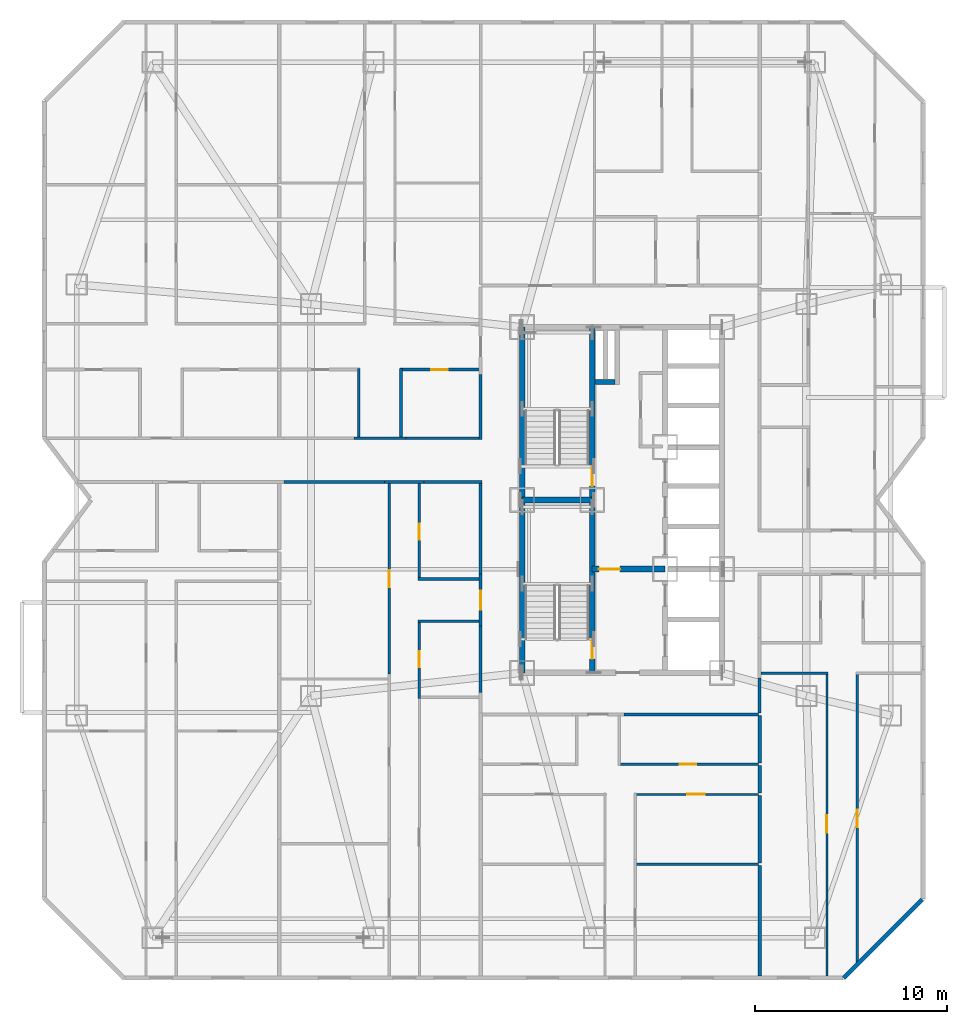
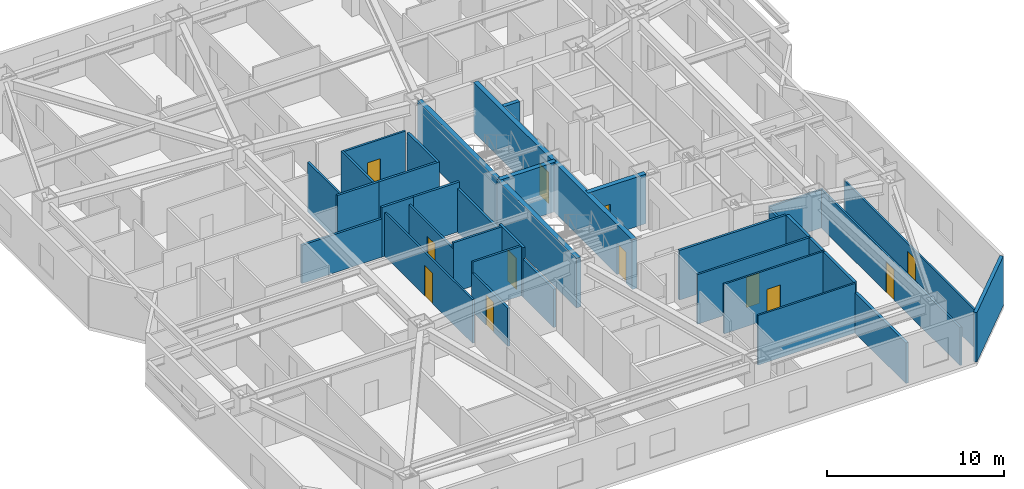
# One storey, part 8 of 13: 37 walls, 12 doors, 12 openings.
"""IFC4 building model written with IfcOpenShell, lengths in metres."""

import ifcopenshell
import ifcopenshell.guid

model = None  # the IFC model being written
_history = None  # IfcOwnerHistory: only IFC2X3 demands one
_inside = {}  # id of a spatial element -> (the spatial element, [elements in it])
_under = {}  # id of a project, library or spatial element -> (it, [spatial elements below it])
_declared = {}  # id of a project -> (the project, [libraries it declares])
_typed = {}  # id of a type object -> (the type object, [elements of that type])
_made_of = {}  # id of a material, layer set ... -> (it, [elements and type objects made of it])


def new_model(schema):
    """Start an empty IFC model of exactly this schema.

    Asked for "IFC4X3", IfcOpenShell would pick the latest addendum, in which some entities
    have other attributes; the version numbers below select the first issue.
    IFC2X3 requires an IfcOwnerHistory on every rooted entity: one is made here for all.
    """
    global model, _history
    if schema == "IFC4X3":
        model = ifcopenshell.file(schema_version=(4, 3, 0, 0))
    else:
        model = ifcopenshell.file(schema=schema)
    _inside.clear()
    _under.clear()
    _declared.clear()
    _typed.clear()
    _made_of.clear()
    _history = None
    if model.schema == "IFC2X3":
        org = make("IfcOrganization", Name="unknown")
        user = make(
            "IfcPersonAndOrganization",
            ThePerson=make("IfcPerson", FamilyName="unknown"),
            TheOrganization=org,
        )
        app = make(
            "IfcApplication",
            ApplicationDeveloper=org,
            Version="unknown",
            ApplicationFullName="unknown",
            ApplicationIdentifier="unknown",
        )
        _history = make(
            "IfcOwnerHistory",
            OwningUser=user,
            OwningApplication=app,
            ChangeAction="ADDED",
            CreationDate=0,
        )
    return model


def make(cls, **values):
    """One entity of the class cls with the attributes given. An attribute that is None is left unset."""
    return model.create_entity(
        cls, **{name: value for name, value in values.items() if value is not None}
    )


def rooted(cls, **values):
    """An entity with a GlobalId (a new one), such as an element, a storey or a relation."""
    return make(cls, GlobalId=ifcopenshell.guid.new(), OwnerHistory=_history, **values)


def si_unit(unit_type, name, prefix=None):
    """IfcSIUnit, for example si_unit("LENGTHUNIT", "METRE", prefix="MILLI")."""
    return make("IfcSIUnit", UnitType=unit_type, Prefix=prefix, Name=name)


def assignment(units):
    """IfcUnitAssignment: the units of a project."""
    return None if units is None else make("IfcUnitAssignment", Units=units)


def point(xyz):
    """IfcCartesianPoint."""
    return None if xyz is None else make("IfcCartesianPoint", Coordinates=xyz)


def direction(xyz):
    """IfcDirection."""
    return None if xyz is None else make("IfcDirection", DirectionRatios=xyz)


def frame(location, z_axis=None, x_axis=None):
    """IfcAxis2Placement3D, a coordinate frame: its origin and axes. An axis left out is left unset."""
    return make(
        "IfcAxis2Placement3D",
        Location=point(location),
        Axis=direction(z_axis),
        RefDirection=direction(x_axis),
    )


def frame_2d(location, x_axis=None):
    """IfcAxis2Placement2D, a coordinate frame in the plane: its origin and x axis."""
    return make(
        "IfcAxis2Placement2D", Location=point(location), RefDirection=direction(x_axis)
    )


def origin():
    """The frame at (0, 0, 0) with its axes left unset."""
    return frame((0.0, 0.0, 0.0))


def place(relative_to, where):
    """IfcLocalPlacement: puts the frame where relative to a parent placement (None: the world)."""
    return make(
        "IfcLocalPlacement", PlacementRelTo=relative_to, RelativePlacement=where
    )


def context(
    kind, dimensions, precision=None, world=None, true_north=None, identifier=None
):
    """IfcGeometricRepresentationContext, for example the 3D "Model" context."""
    return make(
        "IfcGeometricRepresentationContext",
        ContextIdentifier=identifier,
        ContextType=kind,
        CoordinateSpaceDimension=dimensions,
        Precision=precision,
        WorldCoordinateSystem=world,
        TrueNorth=true_north,
    )


def subcontext(parent, identifier, kind, view, scale=None):
    """IfcGeometricRepresentationSubContext, for example "Body" below "Model"."""
    return make(
        "IfcGeometricRepresentationSubContext",
        ContextIdentifier=identifier,
        ContextType=kind,
        ParentContext=parent,
        TargetScale=scale,
        TargetView=view,
    )


def project(units=None, contexts=None):
    """IfcProject with its units and contexts."""
    return rooted(
        "IfcProject",
        Name="project",
        RepresentationContexts=contexts,
        UnitsInContext=assignment(units),
    )


def spatial(cls, under=None, at=None, **own):
    """A site, building, storey or space (cls), placed at a placement, below another one or the project."""
    s = rooted(cls, ObjectPlacement=at, **own)
    if under is not None:
        _under.setdefault(under.id(), (under, []))[1].append(s)
    return s


def profile(cls, at=None, kind="AREA", **sizes):
    """A parametric profile (cls). Its sizes go by their IFC names, for example OverallWidth=200.0."""
    return make(cls, ProfileType=kind, Position=at, **sizes)


def rectangle(**sizes):
    """IfcRectangleProfileDef."""
    return profile("IfcRectangleProfileDef", **sizes)


def extrude(swept, where, along, depth):
    """IfcExtrudedAreaSolid: the profile swept, set in the frame where, extruded along a direction by depth."""
    return make(
        "IfcExtrudedAreaSolid",
        SweptArea=swept,
        Position=where,
        ExtrudedDirection=direction(along),
        Depth=depth,
    )


def shape(context_of_items, identifier, shape_type, items):
    """IfcShapeRepresentation: the items that make up one representation, for example the "Body"."""
    return make(
        "IfcShapeRepresentation",
        ContextOfItems=context_of_items,
        RepresentationIdentifier=identifier,
        RepresentationType=shape_type,
        Items=items,
    )


def material(Name=None, Category=None):
    """IfcMaterial."""
    return make("IfcMaterial", Name=Name, Category=Category)


def layer(
    of_material, thickness, ventilated=None, Name=None, Category=None, Priority=None
):
    """IfcMaterialLayer: one layer of a wall or slab, of a material (None: an air gap)."""
    return make(
        "IfcMaterialLayer",
        Material=of_material,
        LayerThickness=thickness,
        IsVentilated=ventilated,
        Name=Name,
        Category=Category,
        Priority=Priority,
    )


def layer_set(layers, Name=None):
    """IfcMaterialLayerSet."""
    return make("IfcMaterialLayerSet", MaterialLayers=layers, LayerSetName=Name)


def made_of(thing, what):
    """Note that an element or type object is made of a material, layer set ...; save() writes the relation."""
    if what is not None:
        _made_of.setdefault(what.id(), (what, []))[1].append(thing)
    return thing


def type_object(cls, material=None, **own):
    """A type object (cls), such as IfcWallType, which elements share."""
    return made_of(rooted(cls, **own), material)


def element(
    cls,
    number,
    at=None,
    inside=None,
    cuts=None,
    type_object=None,
    material=None,
    context=None,
    identifier="Body",
    shape_type=None,
    held_by="IfcProductDefinitionShape",
    body=None,
    shapes=None,
    **own,
):
    """One element of the class cls, such as IfcWall. Its Tag is "e" and its number.

    at: its placement. inside: the storey or other place that contains it. cuts: it is an
    opening in that element (IfcRelVoidsElement). A single representation is given by context,
    identifier, shape_type and body (its items); several are given by shapes. held_by: the class
    of the entity that holds the representations. save() writes the other relations.
    """
    e = rooted(cls, Tag="e%d" % number, ObjectPlacement=at, **own)
    if body is not None:
        shapes = [shape(context, identifier, shape_type, body)]
    if shapes is not None:
        e.Representation = make(held_by, Representations=shapes)
    if inside is not None:
        _inside.setdefault(inside.id(), (inside, []))[1].append(e)
    if cuts is not None:
        rooted(
            "IfcRelVoidsElement", RelatingBuildingElement=cuts, RelatedOpeningElement=e
        )
    if type_object is not None:
        _typed.setdefault(type_object.id(), (type_object, []))[1].append(e)
    return made_of(e, material)


def fill(opening, filler):
    """IfcRelFillsElement: the door or window that sits in an opening."""
    return rooted(
        "IfcRelFillsElement",
        RelatingOpeningElement=opening,
        RelatedBuildingElement=filler,
    )


def aggregate(whole, parts):
    """IfcRelAggregates: a whole, such as a stair, and the parts it consists of."""
    return rooted("IfcRelAggregates", RelatingObject=whole, RelatedObjects=parts)


def save(model, path):
    """Write the relations noted so far, then the file.

    IfcRelAggregates (storeys below a building ...), IfcRelContainedInSpatialStructure (elements
    in a storey), IfcRelDefinesByType, IfcRelAssociatesMaterial and IfcRelDeclares: one each for
    every whole, place, type object, material and project.
    """
    for whole, parts in _under.values():
        aggregate(whole, parts)
    for where, things in _inside.values():
        rooted(
            "IfcRelContainedInSpatialStructure",
            RelatedElements=things,
            RelatingStructure=where,
        )
    for kind, things in _typed.values():
        rooted("IfcRelDefinesByType", RelatedObjects=things, RelatingType=kind)
    for what, things in _made_of.values():
        rooted("IfcRelAssociatesMaterial", RelatedObjects=things, RelatingMaterial=what)
    for by, libraries in _declared.values():
        rooted("IfcRelDeclares", RelatingContext=by, RelatedDefinitions=libraries)
    model.write(path)


model = new_model("IFC4")

# Units and contexts
model_context = context("Model", 3, precision=1e-05, world=origin(), true_north=direction((0.0, 1.0)))
body_context = subcontext(model_context, "Body", "Model", "MODEL_VIEW")
ifc_project = project(units=[si_unit("LENGTHUNIT", "METRE"), si_unit("AREAUNIT", "SQUARE_METRE"), si_unit("VOLUMEUNIT", "CUBIC_METRE"), si_unit("PLANEANGLEUNIT", "RADIAN"), si_unit("MASSUNIT", "GRAM", prefix="KILO")], contexts=[model_context])

# Site, building, storey
site_placement = place(None, origin())
site = spatial("IfcSite", under=ifc_project, at=site_placement, CompositionType="ELEMENT")
building_placement = place(site_placement, origin())
building = spatial("IfcBuilding", under=site, at=building_placement, Name="Khamvora Tower", CompositionType="ELEMENT")
storey_placement = place(building_placement, frame((0.0, 0.0, 62.5)))
storey = spatial("IfcBuildingStorey", under=building, at=storey_placement, Name="L15", CompositionType="ELEMENT", Elevation=62.5)

# Walls
ifc_material_1 = material(Name="Concrete C50/60", Category="concrete")
ifc_layer_1 = layer(ifc_material_1, 0.300048828125)
ifc_layer_set_1 = layer_set([ifc_layer_1], Name="Concrete C50/60")
wall_type_1 = type_object("IfcWallType", Name="WAL-CORE-300", PredefinedType="SHEAR", material=ifc_layer_set_1)
for number, where, z_axis, x_axis, name in (
    (1, (29.0, 19.0, 0.0), (0.0, 0.0, 1.0), (0.0, 1.0, 0.0), "L15 central core west south wall"),
    (2, (29.0, 28.0, 0.0), (0.0, 0.0, 1.0), (0.0, 1.0, 0.0), "L15 central core west north wall"),
):
    element("IfcWall", number, at=place(storey_placement, frame(where, z_axis=z_axis, x_axis=x_axis)), inside=storey, type_object=wall_type_1, Name=name, PredefinedType="SHEAR", context=body_context, shape_type="SweptSolid", body=[
        extrude(rectangle(XDim=9.0, YDim=0.300048828125, at=frame_2d((4.5, 0.0))), origin(), (0.0, 0.0, 1.0), 3.429931640625),
    ])

# Wall, opening, door
wall_1_placement = place(storey_placement, frame((32.64990234375, 19.0, 0.0), z_axis=(0.0, 0.0, 1.0), x_axis=(0.0, 1.0, 0.0)))
wall_1 = element("IfcWall", 3, at=wall_1_placement, inside=storey, type_object=wall_type_1, Name="L15 central core stair south spine wall", PredefinedType="SHEAR", context=body_context, shape_type="SweptSolid", body=[
    extrude(rectangle(XDim=9.0, YDim=0.300048828125, at=frame_2d((4.5, 0.0))), origin(), (0.0, 0.0, 1.0), 3.429931640625),
])
opening_1_placement = place(wall_1_placement, frame((0.719970703125, 0.0, 0.0)))
opening_1 = element("IfcOpeningElement", 4, at=opening_1_placement, cuts=wall_1, Name="Opening D-ST1", PredefinedType="OPENING", context=body_context, shape_type="SweptSolid", body=[
    extrude(rectangle(XDim=1.0, YDim=2.14990234375, at=frame_2d((0.5, 1.074951171875))), frame((0.0, 0.159912109375, 0.0), z_axis=(0.0, -1.0, 0.0), x_axis=(1.0, 0.0, 0.0)), (0.0, 0.0, 1.0), 0.320068359375),
])
ifc_material_2 = material(Name="Powder-Coated Steel and Hardwood Leaf", Category="steel")
door_type_1 = type_object("IfcDoorType", Name="DOR-STAIR-1000", OperationType="NOTDEFINED", PredefinedType="DOOR", material=ifc_material_2)
door_1_placement = place(opening_1_placement, origin())
door_1 = element("IfcDoor", 5, at=door_1_placement, inside=storey, type_object=door_type_1, Name="L15 exit stair ST-01 fire door", OperationType="SINGLE_SWING_RIGHT", OverallHeight=2.14990234375, OverallWidth=1.0, PredefinedType="DOOR", context=body_context, shape_type="SweptSolid", body=[
    extrude(rectangle(XDim=1.0, YDim=2.14990234375, at=frame_2d((0.5, 1.074951171875))), frame((0.0, 0.02490234375, 0.0), z_axis=(0.0, -1.0, 0.0), x_axis=(1.0, 0.0, 0.0)), (0.0, 0.0, 1.0), 0.050048828125),
])
fill(opening_1, door_1)

wall_2_placement = place(storey_placement, frame((32.64990234375, 28.0, 0.0), z_axis=(0.0, 0.0, 1.0), x_axis=(0.0, 1.0, 0.0)))
wall_2 = element("IfcWall", 6, at=wall_2_placement, inside=storey, type_object=wall_type_1, Name="L15 central core stair north spine wall", PredefinedType="SHEAR", context=body_context, shape_type="SweptSolid", body=[
    extrude(rectangle(XDim=9.0, YDim=0.300048828125, at=frame_2d((4.5, 0.0))), origin(), (0.0, 0.0, 1.0), 3.429931640625),
])
opening_2_placement = place(wall_2_placement, frame((0.719970703125, 0.0, 0.0)))
opening_2 = element("IfcOpeningElement", 7, at=opening_2_placement, cuts=wall_2, Name="Opening D-ST1", PredefinedType="OPENING", context=body_context, shape_type="SweptSolid", body=[
    extrude(rectangle(XDim=1.0, YDim=2.14990234375, at=frame_2d((0.5, 1.074951171875))), frame((0.0, 0.159912109375, 0.0), z_axis=(0.0, -1.0, 0.0), x_axis=(1.0, 0.0, 0.0)), (0.0, 0.0, 1.0), 0.320068359375),
])
door_2_placement = place(opening_2_placement, origin())
door_2 = element("IfcDoor", 8, at=door_2_placement, inside=storey, type_object=door_type_1, Name="L15 exit stair ST-02 fire door", OperationType="SINGLE_SWING_RIGHT", OverallHeight=2.14990234375, OverallWidth=1.0, PredefinedType="DOOR", context=body_context, shape_type="SweptSolid", body=[
    extrude(rectangle(XDim=1.0, YDim=2.14990234375, at=frame_2d((0.5, 1.074951171875))), frame((0.0, 0.02490234375, 0.0), z_axis=(0.0, -1.0, 0.0), x_axis=(1.0, 0.0, 0.0)), (0.0, 0.0, 1.0), 0.050048828125),
])
fill(opening_2, door_2)

# Wall
wall_3_placement = place(storey_placement, frame((29.0, 28.0, 0.0), z_axis=(0.0, 0.0, 1.0), x_axis=(1.0, 0.0, 0.0)))
element("IfcWall", 9, at=wall_3_placement, inside=storey, type_object=wall_type_1, Name="L15 central core stair cross wall", PredefinedType="SHEAR", context=body_context, shape_type="SweptSolid", body=[
    extrude(rectangle(XDim=3.64990234375, YDim=0.300048828125, at=frame_2d((1.824951171875, 0.0))), origin(), (0.0, 0.0, 1.0), 3.429931640625),
])

# Wall, opening, door
wall_4_placement = place(storey_placement, frame((32.64990234375, 24.39990234375, 0.0), z_axis=(0.0, 0.0, 1.0), x_axis=(1.0, 0.0, 0.0)))
wall_4 = element("IfcWall", 10, at=wall_4_placement, inside=storey, type_object=wall_type_1, Name="L15 central core firefighting lobby north wall", PredefinedType="SHEAR", context=body_context, shape_type="SweptSolid", body=[
    extrude(rectangle(XDim=3.800048828125, YDim=0.300048828125, at=frame_2d((1.89990234375, 0.0))), origin(), (0.0, 0.0, 1.0), 3.429931640625),
])
opening_3_placement = place(wall_4_placement, frame((0.35009765625, 0.0, 0.0)))
opening_3 = element("IfcOpeningElement", 11, at=opening_3_placement, cuts=wall_4, Name="Opening D-FF1", PredefinedType="OPENING", context=body_context, shape_type="SweptSolid", body=[
    extrude(rectangle(XDim=1.10009765625, YDim=2.14990234375, at=frame_2d((0.550048828125, 1.074951171875))), frame((0.0, 0.159912109375, 0.0), z_axis=(0.0, -1.0, 0.0), x_axis=(1.0, 0.0, 0.0)), (0.0, 0.0, 1.0), 0.320068359375),
])
door_type_2 = type_object("IfcDoorType", Name="DOR-FFLOB-1100", OperationType="NOTDEFINED", PredefinedType="DOOR", material=ifc_material_2)
door_3_placement = place(opening_3_placement, origin())
door_3 = element("IfcDoor", 12, at=door_3_placement, inside=storey, type_object=door_type_2, Name="L15 firefighting lobby smoke-seal fire door", OperationType="SINGLE_SWING_RIGHT", OverallHeight=2.14990234375, OverallWidth=1.10009765625, PredefinedType="DOOR", context=body_context, shape_type="SweptSolid", body=[
    extrude(rectangle(XDim=1.10009765625, YDim=2.14990234375, at=frame_2d((0.550048828125, 1.074951171875))), frame((0.0, 0.02490234375, 0.0), z_axis=(0.0, -1.0, 0.0), x_axis=(1.0, 0.0, 0.0)), (0.0, 0.0, 1.0), 0.050048828125),
])
fill(opening_3, door_3)

ifc_material_3 = material(Name="Fire-Rated Drywall and Steel Stud", Category="steel")
ifc_layer_2 = layer(ifc_material_3, 0.14990234375)
ifc_layer_set_2 = layer_set([ifc_layer_2], Name="Fire-Rated Drywall and Steel Stud")
wall_type_2 = type_object("IfcWallType", Name="WAL-CORR-150", PredefinedType="STANDARD", material=ifc_layer_set_2)
wall_5_placement = place(storey_placement, frame((26.8349609375, 21.43505859375, 0.0), z_axis=(0.0, 0.0, 1.0), x_axis=(0.0, 1.0, 0.0)))
wall_5 = element("IfcWall", 13, at=wall_5_placement, inside=storey, type_object=wall_type_2, Name="L15 interior partition wall 009", PredefinedType="STANDARD", context=body_context, shape_type="SweptSolid", body=[
    extrude(rectangle(XDim=2.697998046875, YDim=0.14990234375, at=frame_2d((1.34912109375, 0.0))), origin(), (0.0, 0.0, 1.0), 3.429931640625),
])
opening_4_placement = place(wall_5_placement, frame((0.84912109375, 0.0, 0.0)))
opening_4 = element("IfcOpeningElement", 14, at=opening_4_placement, cuts=wall_5, Name="Opening D-U1", PredefinedType="OPENING", context=body_context, shape_type="SweptSolid", body=[
    extrude(rectangle(XDim=1.0, YDim=2.14990234375, at=frame_2d((0.5, 1.074951171875))), frame((0.0, 0.0849609375, 0.0), z_axis=(0.0, -1.0, 0.0), x_axis=(1.0, 0.0, 0.0)), (0.0, 0.0, 1.0), 0.169921875),
])
door_type_3 = type_object("IfcDoorType", Name="DOR-UNIT-1000", OperationType="NOTDEFINED", PredefinedType="DOOR", material=ifc_material_2)
door_4_placement = place(opening_4_placement, origin())
door_4 = element("IfcDoor", 15, at=door_4_placement, inside=storey, type_object=door_type_3, Name="L15 interior door COR-15WA2H", OperationType="SINGLE_SWING_RIGHT", OverallHeight=2.14990234375, OverallWidth=1.0, PredefinedType="DOOR", context=body_context, shape_type="SweptSolid", body=[
    extrude(rectangle(XDim=1.0, YDim=2.14990234375, at=frame_2d((0.5, 1.074951171875))), frame((0.0, 0.02490234375, 0.0), z_axis=(0.0, -1.0, 0.0), x_axis=(1.0, 0.0, 0.0)), (0.0, 0.0, 1.0), 0.050048828125),
])
fill(opening_4, door_4)

# Walls
wall_6_placement = place(storey_placement, frame((23.89990234375, 28.93505859375, 0.0), z_axis=(0.0, 0.0, 1.0), x_axis=(-1.0, 0.0, 0.0)))
element("IfcWall", 16, at=wall_6_placement, inside=storey, type_object=wall_type_2, Name="L15 interior partition wall 010", PredefinedType="STANDARD", context=body_context, shape_type="SweptSolid", body=[
    extrude(rectangle(XDim=2.078857421875, YDim=0.14990234375, at=frame_2d((1.03955078125, 0.0))), origin(), (0.0, 0.0, 1.0), 3.429931640625),
])
wall_7_placement = place(storey_placement, frame((26.8349609375, 17.968017578125, 0.0), z_axis=(0.0, 0.0, 1.0), x_axis=(0.0, 1.0, 0.0)))
element("IfcWall", 17, at=wall_7_placement, inside=storey, type_object=wall_type_2, Name="L15 interior partition wall 011", PredefinedType="STANDARD", context=body_context, shape_type="SweptSolid", body=[
    extrude(rectangle(XDim=3.467041015625, YDim=0.14990234375, at=frame_2d((1.7333984375, 0.0))), origin(), (0.0, 0.0, 1.0), 2.64697265625),
])
wall_8_placement = place(storey_placement, frame((26.8349609375, 24.133056640625, 0.0), z_axis=(0.0, 0.0, 1.0), x_axis=(0.0, 1.0, 0.0)))
element("IfcWall", 18, at=wall_8_placement, inside=storey, type_object=wall_type_2, Name="L15 interior partition wall 012", PredefinedType="STANDARD", context=body_context, shape_type="SweptSolid", body=[
    extrude(rectangle(XDim=4.866943359375, YDim=0.14990234375, at=frame_2d((2.43359375, 0.0))), origin(), (0.0, 0.0, 1.0), 3.012939453125),
])
wall_9_placement = place(storey_placement, frame((26.89794921875, 28.93505859375, 0.0), z_axis=(0.0, 0.0, 1.0), x_axis=(-1.0, 0.0, 0.0)))
element("IfcWall", 19, at=wall_9_placement, inside=storey, type_object=wall_type_2, Name="L15 interior partition wall 013", PredefinedType="STANDARD", context=body_context, shape_type="SweptSolid", body=[
    extrude(rectangle(XDim=2.998046875, YDim=0.14990234375, at=frame_2d((1.4990234375, 0.0))), origin(), (0.0, 0.0, 1.0), 3.429931640625),
])
wall_10_placement = place(storey_placement, frame((21.821044921875, 28.93505859375, 0.0), z_axis=(0.0, 0.0, 1.0), x_axis=(-1.0, 0.0, 0.0)))
element("IfcWall", 20, at=wall_10_placement, inside=storey, type_object=wall_type_2, Name="L15 interior partition wall 014", PredefinedType="STANDARD", context=body_context, shape_type="SweptSolid", body=[
    extrude(rectangle(XDim=5.22509765625, YDim=0.14990234375, at=frame_2d((2.612548828125, 0.0))), origin(), (0.0, 0.0, 1.0), 2.64697265625),
])
wall_11_placement = place(storey_placement, frame((20.241943359375, 31.215087890625, 0.0), z_axis=(0.0, 0.0, 1.0), x_axis=(1.0, 0.0, 0.0)))
element("IfcWall", 21, at=wall_11_placement, inside=storey, type_object=wall_type_2, Name="L15 interior partition wall 018", PredefinedType="STANDARD", context=body_context, shape_type="SweptSolid", body=[
    extrude(rectangle(XDim=2.697998046875, YDim=0.14990234375, at=frame_2d((1.34912109375, 0.0))), origin(), (0.0, 0.0, 1.0), 3.429931640625),
])
wall_12_placement = place(storey_placement, frame((22.93994140625, 31.215087890625, 0.0), z_axis=(0.0, 0.0, 1.0), x_axis=(1.0, 0.0, 0.0)))
element("IfcWall", 22, at=wall_12_placement, inside=storey, type_object=wall_type_2, Name="L15 interior partition wall 021", PredefinedType="STANDARD", context=body_context, shape_type="SweptSolid", body=[
    extrude(rectangle(XDim=3.9599609375, YDim=0.14990234375, at=frame_2d((1.97998046875, 0.0))), origin(), (0.0, 0.0, 1.0), 3.429931640625),
])
wall_13_placement = place(storey_placement, frame((26.8349609375, 31.14990234375, 0.0), z_axis=(0.0, 0.0, 1.0), x_axis=(0.0, 1.0, 0.0)))
element("IfcWall", 23, at=wall_13_placement, inside=storey, type_object=wall_type_2, Name="L15 interior partition wall 022", PredefinedType="STANDARD", context=body_context, shape_type="SweptSolid", body=[
    extrude(rectangle(XDim=3.39599609375, YDim=0.14990234375, at=frame_2d((1.697998046875, 0.0))), origin(), (0.0, 0.0, 1.0), 3.429931640625),
])
wall_14_placement = place(storey_placement, frame((41.300048828125, 16.8349609375, 0.0), z_axis=(0.0, 0.0, 1.0), x_axis=(-1.0, 0.0, 0.0)))
element("IfcWall", 24, at=wall_14_placement, inside=storey, type_object=wall_type_2, Name="L15 interior partition wall 026", PredefinedType="STANDARD", context=body_context, shape_type="SweptSolid", body=[
    extrude(rectangle(XDim=7.0009765625, YDim=0.14990234375, at=frame_2d((3.50048828125, 0.0))), origin(), (0.0, 0.0, 1.0), 3.429931640625),
])
wall_15_placement = place(storey_placement, frame((41.364990234375, 18.72607421875, 0.0), z_axis=(0.0, 0.0, 1.0), x_axis=(0.0, -1.0, 0.0)))
element("IfcWall", 25, at=wall_15_placement, inside=storey, type_object=wall_type_2, Name="L15 interior partition wall 035", PredefinedType="STANDARD", context=body_context, shape_type="SweptSolid", body=[
    extrude(rectangle(XDim=1.826171875, YDim=0.14990234375, at=frame_2d((0.9130859375, 0.0))), origin(), (0.0, 0.0, 1.0), 2.64697265625),
])
ifc_material_4 = material(Name="Acoustic Double-Stud Fire Wall", Category="gypsum")
ifc_layer_3 = layer(ifc_material_4, 0.179931640625)
ifc_layer_set_3 = layer_set([ifc_layer_3], Name="Acoustic Double-Stud Fire Wall")
wall_type_3 = type_object("IfcWallType", Name="WAL-CORR-180", PredefinedType="STANDARD", material=ifc_layer_set_3)
wall_16_placement = place(storey_placement, frame((41.364990234375, 14.180908203125, 0.0), z_axis=(0.0, 0.0, 1.0), x_axis=(0.0, -1.0, 0.0)))
element("IfcWall", 26, at=wall_16_placement, inside=storey, type_object=wall_type_3, Name="L15 interior partition wall 119", PredefinedType="STANDARD", context=body_context, shape_type="SweptSolid", body=[
    extrude(rectangle(XDim=1.449951171875, YDim=0.179931640625, at=frame_2d((0.72509765625, 0.0))), origin(), (0.0, 0.0, 1.0), 3.429931640625),
])
wall_17_placement = place(storey_placement, frame((41.364990234375, 16.77001953125, 0.0), z_axis=(0.0, 0.0, 1.0), x_axis=(0.0, -1.0, 0.0)))
element("IfcWall", 27, at=wall_17_placement, inside=storey, type_object=wall_type_3, Name="L15 interior partition wall 120", PredefinedType="STANDARD", context=body_context, shape_type="SweptSolid", body=[
    extrude(rectangle(XDim=2.458984375, YDim=0.179931640625, at=frame_2d((1.2294921875, 0.0))), origin(), (0.0, 0.0, 1.0), 3.429931640625),
])
wall_18_placement = place(storey_placement, frame((41.364990234375, 8.968017578125, 0.0), z_axis=(0.0, 0.0, 1.0), x_axis=(0.0, -1.0, 0.0)))
element("IfcWall", 28, at=wall_18_placement, inside=storey, type_object=wall_type_3, Name="L15 interior partition wall 123", PredefinedType="STANDARD", context=body_context, shape_type="SweptSolid", body=[
    extrude(rectangle(XDim=5.756103515625, YDim=0.179931640625, at=frame_2d((2.8779296875, 0.0))), origin(), (0.0, 0.0, 1.0), 2.802978515625),
])
wall_19_placement = place(storey_placement, frame((41.364990234375, 12.60107421875, 0.0), z_axis=(0.0, 0.0, 1.0), x_axis=(0.0, -1.0, 0.0)))
element("IfcWall", 29, at=wall_19_placement, inside=storey, type_object=wall_type_3, Name="L15 interior partition wall 124", PredefinedType="STANDARD", context=body_context, shape_type="SweptSolid", body=[
    extrude(rectangle(XDim=3.503173828125, YDim=0.179931640625, at=frame_2d((1.75146484375, 0.0))), origin(), (0.0, 0.0, 1.0), 3.429931640625),
])
ifc_material_5 = material(Name="Precast concrete C40/50", Category="concrete")
ifc_layer_4 = layer(ifc_material_5, 0.219970703125)
ifc_layer_set_4 = layer_set([ifc_layer_4], Name="Precast concrete C40/50")
wall_type_4 = type_object("IfcWallType", Name="WAL-EXT-220", PredefinedType="STANDARD", material=ifc_layer_set_4)
wall_20_placement = place(storey_placement, frame((49.840087890625, 7.196044921875, 0.0), z_axis=(0.0, 0.0, 1.0), x_axis=(-0.707127905562, -0.70708565618, 0.0)))
element("IfcWall", 30, at=wall_20_placement, inside=storey, type_object=wall_type_4, Name="L15 exterior facade wall 13.1", PredefinedType="STANDARD", context=body_context, shape_type="SweptSolid", body=[
    extrude(rectangle(XDim=5.778564453125, YDim=0.219970703125, at=frame_2d((2.88916015625, 0.0))), origin(), (0.0, 0.0, 1.0), 3.429931640625),
])

# Wall, opening, door
ifc_material_6 = material(Name="Gypsum Plasterboard Partition", Category="gypsum")
ifc_layer_5 = layer(ifc_material_6, 0.1201171875)
ifc_layer_set_5 = layer_set([ifc_layer_5], Name="Gypsum Plasterboard Partition")
wall_type_5 = type_object("IfcWallType", Name="WAL-PART-120", PredefinedType="PARTITIONING", material=ifc_layer_set_5)
wall_21_placement = place(storey_placement, frame((22.070068359375, 18.927001953125, 0.0), z_axis=(0.0, 0.0, 1.0), x_axis=(0.0, 1.0, 0.0)))
wall_21 = element("IfcWall", 31, at=wall_21_placement, inside=storey, type_object=wall_type_5, Name="L15 interior partition wall 077", PredefinedType="PARTITIONING", context=body_context, shape_type="SweptSolid", body=[
    extrude(rectangle(XDim=9.94091796875, YDim=0.1201171875, at=frame_2d((4.970458984375, 0.0))), origin(), (0.0, 0.0, 1.0), 3.012939453125),
])
opening_5_placement = place(wall_21_placement, frame((4.52099609375, 0.0, 0.0)))
opening_5 = element("IfcOpeningElement", 32, at=opening_5_placement, cuts=wall_21, Name="Opening D-RM1", PredefinedType="OPENING", context=body_context, shape_type="SweptSolid", body=[
    extrude(rectangle(XDim=0.89990234375, YDim=2.10009765625, at=frame_2d((0.449951171875, 1.050048828125))), frame((0.0, 0.070068359375, 0.0), z_axis=(0.0, -1.0, 0.0), x_axis=(1.0, 0.0, 0.0)), (0.0, 0.0, 1.0), 0.14013671875),
])
door_type_4 = type_object("IfcDoorType", Name="DOR-ROOM-900", OperationType="NOTDEFINED", PredefinedType="DOOR", material=ifc_material_2)
door_5_placement = place(opening_5_placement, origin())
door_5 = element("IfcDoor", 33, at=door_5_placement, inside=storey, type_object=door_type_4, Name="L15 interior door 15WA2H-15WA2R3", OperationType="SINGLE_SWING_RIGHT", OverallHeight=2.10009765625, OverallWidth=0.89990234375, PredefinedType="DOOR", context=body_context, shape_type="SweptSolid", body=[
    extrude(rectangle(XDim=0.89990234375, YDim=2.10009765625, at=frame_2d((0.449951171875, 1.050048828125))), frame((0.0, 0.02490234375, 0.0), z_axis=(0.0, -1.0, 0.0), x_axis=(1.0, 0.0, 0.0)), (0.0, 0.0, 1.0), 0.050048828125),
])
fill(opening_5, door_5)

wall_22_placement = place(storey_placement, frame((41.300048828125, 12.666015625, 0.0), z_axis=(0.0, 0.0, 1.0), x_axis=(-1.0, 0.0, 0.0)))
wall_22 = element("IfcWall", 34, at=wall_22_placement, inside=storey, type_object=wall_type_5, Name="L15 interior partition wall 117", PredefinedType="PARTITIONING", context=body_context, shape_type="SweptSolid", body=[
    extrude(rectangle(XDim=6.47998046875, YDim=0.1201171875, at=frame_2d((3.239990234375, 0.0))), origin(), (0.0, 0.0, 1.0), 3.429931640625),
])
opening_6_placement = place(wall_22_placement, frame((2.7900390625, 0.0, 0.0)))
opening_6 = element("IfcOpeningElement", 35, at=opening_6_placement, cuts=wall_22, Name="Opening D-RM1", PredefinedType="OPENING", context=body_context, shape_type="SweptSolid", body=[
    extrude(rectangle(XDim=0.89990234375, YDim=2.10009765625, at=frame_2d((0.449951171875, 1.050048828125))), frame((0.0, 0.070068359375, 0.0), z_axis=(0.0, -1.0, 0.0), x_axis=(1.0, 0.0, 0.0)), (0.0, 0.0, 1.0), 0.14013671875),
])
door_6_placement = place(opening_6_placement, origin())
door_6 = element("IfcDoor", 36, at=door_6_placement, inside=storey, type_object=door_type_4, Name="L15 interior door 15SAH-15SAR4", OperationType="SINGLE_SWING_RIGHT", OverallHeight=2.10009765625, OverallWidth=0.89990234375, PredefinedType="DOOR", context=body_context, shape_type="SweptSolid", body=[
    extrude(rectangle(XDim=0.89990234375, YDim=2.10009765625, at=frame_2d((0.449951171875, 1.050048828125))), frame((0.0, 0.02490234375, 0.0), z_axis=(0.0, -1.0, 0.0), x_axis=(1.0, 0.0, 0.0)), (0.0, 0.0, 1.0), 0.050048828125),
])
fill(opening_6, door_6)

# Wall
wall_23_placement = place(storey_placement, frame((34.93896484375, 9.032958984375, 0.0), z_axis=(0.0, 0.0, 1.0), x_axis=(1.0, 0.0, 0.0)))
element("IfcWall", 37, at=wall_23_placement, inside=storey, type_object=wall_type_5, Name="L15 interior partition wall 122", PredefinedType="PARTITIONING", context=body_context, shape_type="SweptSolid", body=[
    extrude(rectangle(XDim=6.361083984375, YDim=0.1201171875, at=frame_2d((3.1806640625, 0.0))), origin(), (0.0, 0.0, 1.0), 3.429931640625),
])

# Wall, opening, door
wall_24_placement = place(storey_placement, frame((44.875, 3.2119140625, 0.0), z_axis=(0.0, 0.0, 1.0), x_axis=(0.0, 1.0, 0.0)))
wall_24 = element("IfcWall", 38, at=wall_24_placement, inside=storey, type_object=wall_type_5, Name="L15 interior partition wall 140", PredefinedType="PARTITIONING", context=body_context, shape_type="SweptSolid", body=[
    extrude(rectangle(XDim=15.828125, YDim=0.1201171875, at=frame_2d((7.9140625, 0.0))), origin(), (0.0, 0.0, 1.0), 2.64697265625),
])
opening_7_placement = place(wall_24_placement, frame((7.464111328125, 0.0, 0.0)))
opening_7 = element("IfcOpeningElement", 39, at=opening_7_placement, cuts=wall_24, Name="Opening D-RM1", PredefinedType="OPENING", context=body_context, shape_type="SweptSolid", body=[
    extrude(rectangle(XDim=0.89990234375, YDim=2.10009765625, at=frame_2d((0.449951171875, 1.050048828125))), frame((0.0, 0.070068359375, 0.0), z_axis=(0.0, -1.0, 0.0), x_axis=(1.0, 0.0, 0.0)), (0.0, 0.0, 1.0), 0.14013671875),
])
door_7_placement = place(opening_7_placement, origin())
door_7 = element("IfcDoor", 40, at=door_7_placement, inside=storey, type_object=door_type_4, Name="L15 interior door 15EAH-15EAR1", OperationType="SINGLE_SWING_LEFT", OverallHeight=2.10009765625, OverallWidth=0.89990234375, PredefinedType="DOOR", context=body_context, shape_type="SweptSolid", body=[
    extrude(rectangle(XDim=0.89990234375, YDim=2.10009765625, at=frame_2d((0.449951171875, 1.050048828125))), frame((0.0, 0.02490234375, 0.0), z_axis=(0.0, -1.0, 0.0), x_axis=(1.0, 0.0, 0.0)), (0.0, 0.0, 1.0), 0.050048828125),
])
fill(opening_7, door_7)

# Wall
wall_25_placement = place(storey_placement, frame((44.93994140625, 18.97509765625, 0.0), z_axis=(0.0, 0.0, 1.0), x_axis=(-1.0, 0.0, 0.0)))
element("IfcWall", 41, at=wall_25_placement, inside=storey, type_object=wall_type_5, Name="L15 interior partition wall 141", PredefinedType="PARTITIONING", context=body_context, shape_type="SweptSolid", body=[
    extrude(rectangle(XDim=3.508056640625, YDim=0.1201171875, at=frame_2d((1.75390625, 0.0))), origin(), (0.0, 0.0, 1.0), 2.64697265625),
])

# Wall, opening, door
wall_26_placement = place(storey_placement, frame((46.445068359375, 19.0400390625, 0.0), z_axis=(0.0, 0.0, 1.0), x_axis=(0.0, -1.0, 0.0)))
wall_26 = element("IfcWall", 42, at=wall_26_placement, inside=storey, type_object=wall_type_5, Name="L15 interior partition wall 143", PredefinedType="PARTITIONING", context=body_context, shape_type="SweptSolid", body=[
    extrude(rectangle(XDim=15.248046875, YDim=0.1201171875, at=frame_2d((7.6240234375, 0.0))), origin(), (0.0, 0.0, 1.0), 2.64697265625),
])
opening_8_placement = place(wall_26_placement, frame((7.174072265625, 0.0, 0.0)))
opening_8 = element("IfcOpeningElement", 43, at=opening_8_placement, cuts=wall_26, Name="Opening D-RM1", PredefinedType="OPENING", context=body_context, shape_type="SweptSolid", body=[
    extrude(rectangle(XDim=0.89990234375, YDim=2.10009765625, at=frame_2d((0.449951171875, 1.050048828125))), frame((0.0, 0.070068359375, 0.0), z_axis=(0.0, -1.0, 0.0), x_axis=(1.0, 0.0, 0.0)), (0.0, 0.0, 1.0), 0.14013671875),
])
door_8_placement = place(opening_8_placement, origin())
door_8 = element("IfcDoor", 44, at=door_8_placement, inside=storey, type_object=door_type_4, Name="L15 interior door 15EAH-15EAR2", OperationType="SINGLE_SWING_RIGHT", OverallHeight=2.10009765625, OverallWidth=0.89990234375, PredefinedType="DOOR", context=body_context, shape_type="SweptSolid", body=[
    extrude(rectangle(XDim=0.89990234375, YDim=2.10009765625, at=frame_2d((0.449951171875, 1.050048828125))), frame((0.0, 0.02490234375, 0.0), z_axis=(0.0, -1.0, 0.0), x_axis=(1.0, 0.0, 0.0)), (0.0, 0.0, 1.0), 0.050048828125),
])
fill(opening_8, door_8)

# Walls
ifc_material_7 = material(Name="Concrete C40/50", Category="concrete")
ifc_layer_6 = layer(ifc_material_7, 0.25)
ifc_layer_set_6 = layer_set([ifc_layer_6], Name="Concrete C40/50")
wall_type_6 = type_object("IfcWallType", Name="WAL-PODS-250", PredefinedType="SHEAR", material=ifc_layer_set_6)
wall_27_placement = place(storey_placement, frame((32.803955078125, 34.14990234375, 0.0), z_axis=(0.0, 0.0, 1.0), x_axis=(1.0, 0.0, 0.0)))
element("IfcWall", 45, at=wall_27_placement, inside=storey, type_object=wall_type_6, Name="L15 vertical MEP riser shaft south enclosure wall", PredefinedType="SHEAR", context=body_context, shape_type="SweptSolid", body=[
    extrude(rectangle(XDim=1.02197265625, YDim=0.25, at=frame_2d((0.510986328125, 0.0))), origin(), (0.0, 0.0, 1.0), 3.429931640625),
])
ifc_material_8 = material(Name="Moisture-Resistant Plasterboard Partition", Category="gypsum")
ifc_layer_7 = layer(ifc_material_8, 0.135009765625)
ifc_layer_set_7 = layer_set([ifc_layer_7], Name="Moisture-Resistant Plasterboard Partition")
wall_type_7 = type_object("IfcWallType", Name="WAL-WET-135", PredefinedType="PARTITIONING", material=ifc_layer_set_7)
wall_28_placement = place(storey_placement, frame((26.77001953125, 21.68408203125, 0.0), z_axis=(0.0, 0.0, 1.0), x_axis=(-1.0, 0.0, 0.0)))
element("IfcWall", 46, at=wall_28_placement, inside=storey, type_object=wall_type_7, Name="L15 interior partition wall 071", PredefinedType="PARTITIONING", context=body_context, shape_type="SweptSolid", body=[
    extrude(rectangle(XDim=3.18505859375, YDim=0.135009765625, at=frame_2d((1.592529296875, 0.0))), origin(), (0.0, 0.0, 1.0), 3.429931640625),
])

# Wall, opening, door
wall_29_placement = place(storey_placement, frame((23.64990234375, 21.7490234375, 0.0), z_axis=(0.0, 0.0, 1.0), x_axis=(0.0, -1.0, 0.0)))
wall_29 = element("IfcWall", 47, at=wall_29_placement, inside=storey, type_object=wall_type_7, Name="L15 interior partition wall 072", PredefinedType="PARTITIONING", context=body_context, shape_type="SweptSolid", body=[
    extrude(rectangle(XDim=4.094970703125, YDim=0.135009765625, at=frame_2d((2.04736328125, 0.0))), origin(), (0.0, 0.0, 1.0), 2.64697265625),
])
opening_9_placement = place(wall_29_placement, frame((1.6220703125, 0.0, 0.0)))
opening_9 = element("IfcOpeningElement", 48, at=opening_9_placement, cuts=wall_29, Name="Opening D-WC1", PredefinedType="OPENING", context=body_context, shape_type="SweptSolid", body=[
    extrude(rectangle(XDim=0.85009765625, YDim=2.10009765625, at=frame_2d((0.425048828125, 1.050048828125))), frame((0.0, 0.077392578125, 0.0), z_axis=(0.0, -1.0, 0.0), x_axis=(1.0, 0.0, 0.0)), (0.0, 0.0, 1.0), 0.155029296875),
])
door_type_5 = type_object("IfcDoorType", Name="DOR-WET-850", OperationType="NOTDEFINED", PredefinedType="DOOR", material=ifc_material_2)
door_9_placement = place(opening_9_placement, origin())
door_9 = element("IfcDoor", 49, at=door_9_placement, inside=storey, type_object=door_type_5, Name="L15 interior door 15WA2H-15WA2B", OperationType="SINGLE_SWING_RIGHT", OverallHeight=2.10009765625, OverallWidth=0.85009765625, PredefinedType="DOOR", context=body_context, shape_type="SweptSolid", body=[
    extrude(rectangle(XDim=0.85009765625, YDim=2.10009765625, at=frame_2d((0.425048828125, 1.050048828125))), frame((0.0, 0.02490234375, 0.0), z_axis=(0.0, -1.0, 0.0), x_axis=(1.0, 0.0, 0.0)), (0.0, 0.0, 1.0), 0.050048828125),
])
fill(opening_9, door_9)

wall_30_placement = place(storey_placement, frame((23.64990234375, 28.867919921875, 0.0), z_axis=(0.0, 0.0, 1.0), x_axis=(0.0, -1.0, 0.0)))
wall_30 = element("IfcWall", 50, at=wall_30_placement, inside=storey, type_object=wall_type_7, Name="L15 interior partition wall 073", PredefinedType="PARTITIONING", context=body_context, shape_type="SweptSolid", body=[
    extrude(rectangle(XDim=5.048828125, YDim=0.135009765625, at=frame_2d((2.5244140625, 0.0))), origin(), (0.0, 0.0, 1.0), 3.012939453125),
])
opening_10_placement = place(wall_30_placement, frame((2.10009765625, 0.0, 0.0)))
opening_10 = element("IfcOpeningElement", 51, at=opening_10_placement, cuts=wall_30, Name="Opening D-RM2", PredefinedType="OPENING", context=body_context, shape_type="SweptSolid", body=[
    extrude(rectangle(XDim=0.85009765625, YDim=2.10009765625, at=frame_2d((0.425048828125, 1.050048828125))), frame((0.0, 0.077392578125, 0.0), z_axis=(0.0, -1.0, 0.0), x_axis=(1.0, 0.0, 0.0)), (0.0, 0.0, 1.0), 0.155029296875),
])
door_type_6 = type_object("IfcDoorType", Name="DOR-ROOM-850", OperationType="NOTDEFINED", PredefinedType="DOOR", material=ifc_material_2)
door_10_placement = place(opening_10_placement, origin())
door_10 = element("IfcDoor", 52, at=door_10_placement, inside=storey, type_object=door_type_6, Name="L15 interior door 15WA2H-15WA2K", OperationType="SINGLE_SWING_LEFT", OverallHeight=2.10009765625, OverallWidth=0.85009765625, PredefinedType="DOOR", context=body_context, shape_type="SweptSolid", body=[
    extrude(rectangle(XDim=0.85009765625, YDim=2.10009765625, at=frame_2d((0.425048828125, 1.050048828125))), frame((0.0, 0.02490234375, 0.0), z_axis=(0.0, -1.0, 0.0), x_axis=(1.0, 0.0, 0.0)), (0.0, 0.0, 1.0), 0.050048828125),
])
fill(opening_10, door_10)

# Walls
wall_31_placement = place(storey_placement, frame((23.5849609375, 23.884033203125, 0.0), z_axis=(0.0, 0.0, 1.0), x_axis=(1.0, 0.0, 0.0)))
element("IfcWall", 53, at=wall_31_placement, inside=storey, type_object=wall_type_7, Name="L15 interior partition wall 074", PredefinedType="PARTITIONING", context=body_context, shape_type="SweptSolid", body=[
    extrude(rectangle(XDim=3.18505859375, YDim=0.135009765625, at=frame_2d((1.592529296875, 0.0))), origin(), (0.0, 0.0, 1.0), 3.429931640625),
])
wall_32_placement = place(storey_placement, frame((20.490966796875, 31.280029296875, 0.0), z_axis=(0.0, 0.0, 1.0), x_axis=(0.0, 1.0, 0.0)))
element("IfcWall", 54, at=wall_32_placement, inside=storey, type_object=wall_type_7, Name="L15 interior partition wall 097", PredefinedType="PARTITIONING", context=body_context, shape_type="SweptSolid", body=[
    extrude(rectangle(XDim=3.580078125, YDim=0.135009765625, at=frame_2d((1.7900390625, 0.0))), origin(), (0.0, 0.0, 1.0), 3.429931640625),
])

# Wall, opening, door
wall_33_placement = place(storey_placement, frame((26.77001953125, 34.794921875, 0.0), z_axis=(0.0, 0.0, 1.0), x_axis=(-1.0, 0.0, 0.0)))
wall_33 = element("IfcWall", 55, at=wall_33_placement, inside=storey, type_object=wall_type_7, Name="L15 interior partition wall 099", PredefinedType="PARTITIONING", context=body_context, shape_type="SweptSolid", body=[
    extrude(rectangle(XDim=4.14404296875, YDim=0.135009765625, at=frame_2d((2.072021484375, 0.0))), origin(), (0.0, 0.0, 1.0), 3.429931640625),
])
opening_11_placement = place(wall_33_placement, frame((1.64697265625, 0.0, 0.0)))
opening_11 = element("IfcOpeningElement", 56, at=opening_11_placement, cuts=wall_33, Name="Opening D-RM2", PredefinedType="OPENING", context=body_context, shape_type="SweptSolid", body=[
    extrude(rectangle(XDim=0.85009765625, YDim=2.10009765625, at=frame_2d((0.425048828125, 1.050048828125))), frame((0.0, 0.077392578125, 0.0), z_axis=(0.0, -1.0, 0.0), x_axis=(1.0, 0.0, 0.0)), (0.0, 0.0, 1.0), 0.155029296875),
])
door_11_placement = place(opening_11_placement, origin())
door_11 = element("IfcDoor", 57, at=door_11_placement, inside=storey, type_object=door_type_6, Name="L15 interior door 15WB2H-15WB2K", OperationType="SINGLE_SWING_RIGHT", OverallHeight=2.10009765625, OverallWidth=0.85009765625, PredefinedType="DOOR", context=body_context, shape_type="SweptSolid", body=[
    extrude(rectangle(XDim=0.85009765625, YDim=2.10009765625, at=frame_2d((0.425048828125, 1.050048828125))), frame((0.0, 0.02490234375, 0.0), z_axis=(0.0, -1.0, 0.0), x_axis=(1.0, 0.0, 0.0)), (0.0, 0.0, 1.0), 0.050048828125),
])
fill(opening_11, door_11)

# Wall
wall_34_placement = place(storey_placement, frame((22.69091796875, 34.860107421875, 0.0), z_axis=(0.0, 0.0, 1.0), x_axis=(0.0, -1.0, 0.0)))
element("IfcWall", 58, at=wall_34_placement, inside=storey, type_object=wall_type_7, Name="L15 interior partition wall 100", PredefinedType="PARTITIONING", context=body_context, shape_type="SweptSolid", body=[
    extrude(rectangle(XDim=3.580078125, YDim=0.135009765625, at=frame_2d((1.7900390625, 0.0))), origin(), (0.0, 0.0, 1.0), 3.429931640625),
])

# Wall, opening, door
wall_35_placement = place(storey_placement, frame((33.985107421875, 14.24609375, 0.0), z_axis=(0.0, 0.0, 1.0), x_axis=(1.0, 0.0, 0.0)))
wall_35 = element("IfcWall", 59, at=wall_35_placement, inside=storey, type_object=wall_type_7, Name="L15 interior partition wall 112", PredefinedType="PARTITIONING", context=body_context, shape_type="SweptSolid", body=[
    extrude(rectangle(XDim=7.31494140625, YDim=0.135009765625, at=frame_2d((3.657470703125, 0.0))), origin(), (0.0, 0.0, 1.0), 3.429931640625),
])
opening_12_placement = place(wall_35_placement, frame((3.23291015625, 0.0, 0.0)))
opening_12 = element("IfcOpeningElement", 60, at=opening_12_placement, cuts=wall_35, Name="Opening D-RM2", PredefinedType="OPENING", context=body_context, shape_type="SweptSolid", body=[
    extrude(rectangle(XDim=0.85009765625, YDim=2.10009765625, at=frame_2d((0.425048828125, 1.050048828125))), frame((0.0, 0.077392578125, 0.0), z_axis=(0.0, -1.0, 0.0), x_axis=(1.0, 0.0, 0.0)), (0.0, 0.0, 1.0), 0.155029296875),
])
door_12_placement = place(opening_12_placement, origin())
door_12 = element("IfcDoor", 61, at=door_12_placement, inside=storey, type_object=door_type_6, Name="L15 interior door 15SAH-15SAK", OperationType="SINGLE_SWING_RIGHT", OverallHeight=2.10009765625, OverallWidth=0.85009765625, PredefinedType="DOOR", context=body_context, shape_type="SweptSolid", body=[
    extrude(rectangle(XDim=0.85009765625, YDim=2.10009765625, at=frame_2d((0.425048828125, 1.050048828125))), frame((0.0, 0.02490234375, 0.0), z_axis=(0.0, -1.0, 0.0), x_axis=(1.0, 0.0, 0.0)), (0.0, 0.0, 1.0), 0.050048828125),
])
fill(opening_12, door_12)

save(model, "model.ifc")
